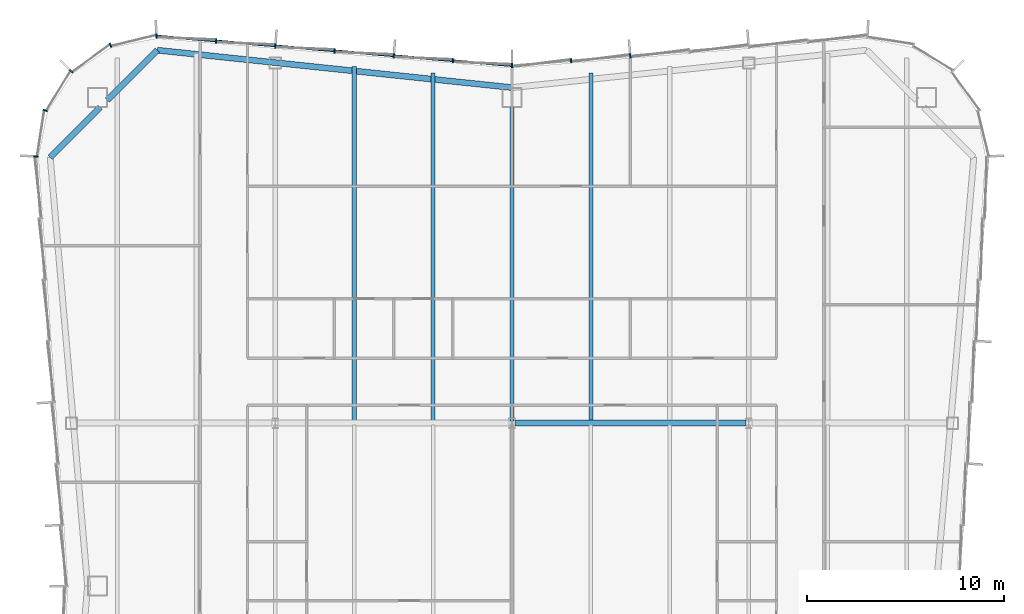
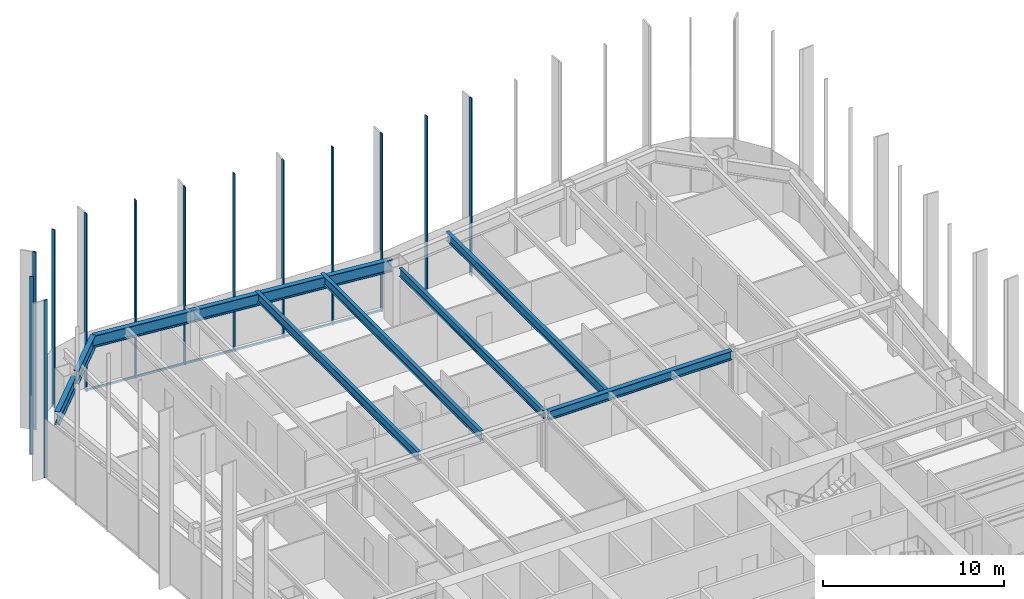
# One storey, part 7 of 15: 14 members, 8 beams, 3 elements without a shape of their own.
"""IFC4 building model written with IfcOpenShell, lengths in metres."""

import ifcopenshell
import ifcopenshell.guid

model = None  # the IFC model being written
_history = None  # IfcOwnerHistory: only IFC2X3 demands one
_inside = {}  # id of a spatial element -> (the spatial element, [elements in it])
_under = {}  # id of a project, library or spatial element -> (it, [spatial elements below it])
_declared = {}  # id of a project -> (the project, [libraries it declares])
_typed = {}  # id of a type object -> (the type object, [elements of that type])
_made_of = {}  # id of a material, layer set ... -> (it, [elements and type objects made of it])


def new_model(schema):
    """Start an empty IFC model of exactly this schema.

    Asked for "IFC4X3", IfcOpenShell would pick the latest addendum, in which some entities
    have other attributes; the version numbers below select the first issue.
    IFC2X3 requires an IfcOwnerHistory on every rooted entity: one is made here for all.
    """
    global model, _history
    if schema == "IFC4X3":
        model = ifcopenshell.file(schema_version=(4, 3, 0, 0))
    else:
        model = ifcopenshell.file(schema=schema)
    _inside.clear()
    _under.clear()
    _declared.clear()
    _typed.clear()
    _made_of.clear()
    _history = None
    if model.schema == "IFC2X3":
        org = make("IfcOrganization", Name="unknown")
        user = make(
            "IfcPersonAndOrganization",
            ThePerson=make("IfcPerson", FamilyName="unknown"),
            TheOrganization=org,
        )
        app = make(
            "IfcApplication",
            ApplicationDeveloper=org,
            Version="unknown",
            ApplicationFullName="unknown",
            ApplicationIdentifier="unknown",
        )
        _history = make(
            "IfcOwnerHistory",
            OwningUser=user,
            OwningApplication=app,
            ChangeAction="ADDED",
            CreationDate=0,
        )
    return model


def make(cls, **values):
    """One entity of the class cls with the attributes given. An attribute that is None is left unset."""
    return model.create_entity(
        cls, **{name: value for name, value in values.items() if value is not None}
    )


def rooted(cls, **values):
    """An entity with a GlobalId (a new one), such as an element, a storey or a relation."""
    return make(cls, GlobalId=ifcopenshell.guid.new(), OwnerHistory=_history, **values)


def si_unit(unit_type, name, prefix=None):
    """IfcSIUnit, for example si_unit("LENGTHUNIT", "METRE", prefix="MILLI")."""
    return make("IfcSIUnit", UnitType=unit_type, Prefix=prefix, Name=name)


def assignment(units):
    """IfcUnitAssignment: the units of a project."""
    return None if units is None else make("IfcUnitAssignment", Units=units)


def point(xyz):
    """IfcCartesianPoint."""
    return None if xyz is None else make("IfcCartesianPoint", Coordinates=xyz)


def direction(xyz):
    """IfcDirection."""
    return None if xyz is None else make("IfcDirection", DirectionRatios=xyz)


def frame(location, z_axis=None, x_axis=None):
    """IfcAxis2Placement3D, a coordinate frame: its origin and axes. An axis left out is left unset."""
    return make(
        "IfcAxis2Placement3D",
        Location=point(location),
        Axis=direction(z_axis),
        RefDirection=direction(x_axis),
    )


def frame_2d(location, x_axis=None):
    """IfcAxis2Placement2D, a coordinate frame in the plane: its origin and x axis."""
    return make(
        "IfcAxis2Placement2D", Location=point(location), RefDirection=direction(x_axis)
    )


def origin():
    """The frame at (0, 0, 0) with its axes left unset."""
    return frame((0.0, 0.0, 0.0))


def origin_2d():
    """The frame at (0, 0) in the plane with its x axis left unset."""
    return frame_2d((0.0, 0.0))


def place(relative_to, where):
    """IfcLocalPlacement: puts the frame where relative to a parent placement (None: the world)."""
    return make(
        "IfcLocalPlacement", PlacementRelTo=relative_to, RelativePlacement=where
    )


def context(
    kind, dimensions, precision=None, world=None, true_north=None, identifier=None
):
    """IfcGeometricRepresentationContext, for example the 3D "Model" context."""
    return make(
        "IfcGeometricRepresentationContext",
        ContextIdentifier=identifier,
        ContextType=kind,
        CoordinateSpaceDimension=dimensions,
        Precision=precision,
        WorldCoordinateSystem=world,
        TrueNorth=true_north,
    )


def subcontext(parent, identifier, kind, view, scale=None):
    """IfcGeometricRepresentationSubContext, for example "Body" below "Model"."""
    return make(
        "IfcGeometricRepresentationSubContext",
        ContextIdentifier=identifier,
        ContextType=kind,
        ParentContext=parent,
        TargetScale=scale,
        TargetView=view,
    )


def project(units=None, contexts=None):
    """IfcProject with its units and contexts."""
    return rooted(
        "IfcProject",
        Name="project",
        RepresentationContexts=contexts,
        UnitsInContext=assignment(units),
    )


def spatial(cls, under=None, at=None, **own):
    """A site, building, storey or space (cls), placed at a placement, below another one or the project."""
    s = rooted(cls, ObjectPlacement=at, **own)
    if under is not None:
        _under.setdefault(under.id(), (under, []))[1].append(s)
    return s


def profile(cls, at=None, kind="AREA", **sizes):
    """A parametric profile (cls). Its sizes go by their IFC names, for example OverallWidth=200.0."""
    return make(cls, ProfileType=kind, Position=at, **sizes)


def rectangle(**sizes):
    """IfcRectangleProfileDef."""
    return profile("IfcRectangleProfileDef", **sizes)


def i_section(**sizes):
    """IfcIShapeProfileDef."""
    return profile("IfcIShapeProfileDef", **sizes)


def extrude(swept, where, along, depth):
    """IfcExtrudedAreaSolid: the profile swept, set in the frame where, extruded along a direction by depth."""
    return make(
        "IfcExtrudedAreaSolid",
        SweptArea=swept,
        Position=where,
        ExtrudedDirection=direction(along),
        Depth=depth,
    )


def shape(context_of_items, identifier, shape_type, items):
    """IfcShapeRepresentation: the items that make up one representation, for example the "Body"."""
    return make(
        "IfcShapeRepresentation",
        ContextOfItems=context_of_items,
        RepresentationIdentifier=identifier,
        RepresentationType=shape_type,
        Items=items,
    )


def material(Name=None, Category=None):
    """IfcMaterial."""
    return make("IfcMaterial", Name=Name, Category=Category)


def material_profile(
    of_material, cross_section, Name=None, Category=None, Priority=None
):
    """IfcMaterialProfile: a cross section and its material."""
    return make(
        "IfcMaterialProfile",
        Name=Name,
        Material=of_material,
        Profile=cross_section,
        Priority=Priority,
        Category=Category,
    )


def profile_set(profiles, Name=None, composite=None):
    """IfcMaterialProfileSet."""
    return make(
        "IfcMaterialProfileSet",
        Name=Name,
        MaterialProfiles=profiles,
        CompositeProfile=composite,
    )


def made_of(thing, what):
    """Note that an element or type object is made of a material, layer set ...; save() writes the relation."""
    if what is not None:
        _made_of.setdefault(what.id(), (what, []))[1].append(thing)
    return thing


def type_object(cls, material=None, **own):
    """A type object (cls), such as IfcWallType, which elements share."""
    return made_of(rooted(cls, **own), material)


def element(
    cls,
    number,
    at=None,
    inside=None,
    cuts=None,
    type_object=None,
    material=None,
    context=None,
    identifier="Body",
    shape_type=None,
    held_by="IfcProductDefinitionShape",
    body=None,
    shapes=None,
    **own,
):
    """One element of the class cls, such as IfcWall. Its Tag is "e" and its number.

    at: its placement. inside: the storey or other place that contains it. cuts: it is an
    opening in that element (IfcRelVoidsElement). A single representation is given by context,
    identifier, shape_type and body (its items); several are given by shapes. held_by: the class
    of the entity that holds the representations. save() writes the other relations.
    """
    e = rooted(cls, Tag="e%d" % number, ObjectPlacement=at, **own)
    if body is not None:
        shapes = [shape(context, identifier, shape_type, body)]
    if shapes is not None:
        e.Representation = make(held_by, Representations=shapes)
    if inside is not None:
        _inside.setdefault(inside.id(), (inside, []))[1].append(e)
    if cuts is not None:
        rooted(
            "IfcRelVoidsElement", RelatingBuildingElement=cuts, RelatedOpeningElement=e
        )
    if type_object is not None:
        _typed.setdefault(type_object.id(), (type_object, []))[1].append(e)
    return made_of(e, material)


def aggregate(whole, parts):
    """IfcRelAggregates: a whole, such as a stair, and the parts it consists of."""
    return rooted("IfcRelAggregates", RelatingObject=whole, RelatedObjects=parts)


def save(model, path):
    """Write the relations noted so far, then the file.

    IfcRelAggregates (storeys below a building ...), IfcRelContainedInSpatialStructure (elements
    in a storey), IfcRelDefinesByType, IfcRelAssociatesMaterial and IfcRelDeclares: one each for
    every whole, place, type object, material and project.
    """
    for whole, parts in _under.values():
        aggregate(whole, parts)
    for where, things in _inside.values():
        rooted(
            "IfcRelContainedInSpatialStructure",
            RelatedElements=things,
            RelatingStructure=where,
        )
    for kind, things in _typed.values():
        rooted("IfcRelDefinesByType", RelatedObjects=things, RelatingType=kind)
    for what, things in _made_of.values():
        rooted("IfcRelAssociatesMaterial", RelatedObjects=things, RelatingMaterial=what)
    for by, libraries in _declared.values():
        rooted("IfcRelDeclares", RelatingContext=by, RelatedDefinitions=libraries)
    model.write(path)


model = new_model("IFC4")

# Units and contexts
model_context = context("Model", 3, precision=1e-05, world=origin(), true_north=direction((0.0, 1.0)))
body_context = subcontext(model_context, "Body", "Model", "MODEL_VIEW")
ifc_project = project(units=[si_unit("LENGTHUNIT", "METRE"), si_unit("AREAUNIT", "SQUARE_METRE"), si_unit("VOLUMEUNIT", "CUBIC_METRE"), si_unit("PLANEANGLEUNIT", "RADIAN"), si_unit("MASSUNIT", "GRAM", prefix="KILO")], contexts=[model_context])

# Site, building, storey
site_placement = place(None, origin())
site = spatial("IfcSite", under=ifc_project, at=site_placement, CompositionType="ELEMENT")
building_placement = place(site_placement, origin())
building = spatial("IfcBuilding", under=site, at=building_placement, Name="Verdant Reach Tower", CompositionType="ELEMENT")
storey_placement = place(building_placement, frame((0.0, 0.0, 238.0)))
storey = spatial("IfcBuildingStorey", under=building, at=storey_placement, Name="L54", CompositionType="ELEMENT", Elevation=238.0)

# Curtain wall, members
ifc_material_1 = material(Name="Anodised aluminium", Category="aluminium")
curtain_wall_type = type_object("IfcCurtainWallType", Name="EN-CW SYSTEM Z4", PredefinedType="NOTDEFINED", material=ifc_material_1)
curtain_wall_1_placement = place(storey_placement, origin())
curtain_wall_1 = element("IfcCurtainWall", 1, at=curtain_wall_1_placement, inside=storey, type_object=curtain_wall_type, Name="Curtain wall north, L54", PredefinedType="NOTDEFINED")
ifc_material_profile_1 = material_profile(ifc_material_1, rectangle(XDim=0.22412109375, YDim=0.068115234375, at=origin_2d()), Name="Mullion 68x224")
ifc_profile_set_1 = profile_set([ifc_material_profile_1], Name="Anodised aluminium")
member_type_1 = type_object("IfcMemberType", Name="EN-MULLION Z4", PredefinedType="MULLION", material=ifc_profile_set_1)
member_1_placement = place(storey_placement, frame((5.99072265625, 68.111572265625, -0.35009765625), z_axis=(0.0, 0.0, 1.0), x_axis=(-0.083045479859, 0.996545758244, 0.0)))
member_1 = element("IfcMember", 2, at=member_1_placement, type_object=member_type_1, Name="Mullion north face part 1 5, L54", PredefinedType="MULLION", context=body_context, shape_type="SweptSolid", body=[
    extrude(rectangle(XDim=0.22412109375, YDim=0.068115234375, at=origin_2d()), origin(), (0.0, 0.0, 1.0), 12.0),
])
member_2_placement = place(storey_placement, frame((2.99072265625, 67.861572265625, -0.35009765625), z_axis=(0.0, 0.0, 1.0), x_axis=(-0.083045479859, 0.996545758244, 0.0)))
member_2 = element("IfcMember", 3, at=member_2_placement, type_object=member_type_1, Name="Mullion north face part 1 6, L54", PredefinedType="MULLION", context=body_context, shape_type="SweptSolid", body=[
    extrude(rectangle(XDim=0.22412109375, YDim=0.068115234375, at=origin_2d()), origin(), (0.0, 0.0, 1.0), 12.0),
])
member_3_placement = place(storey_placement, frame((0.0, 67.612060546875, -0.35009765625), z_axis=(0.0, 0.0, 1.0), x_axis=(0.0, 1.0, 0.0)))
member_3 = element("IfcMember", 4, at=member_3_placement, type_object=member_type_1, Name="Mullion north face part 2 1, L54", PredefinedType="MULLION", context=body_context, shape_type="SweptSolid", body=[
    extrude(rectangle(XDim=0.22412109375, YDim=0.068115234375, at=origin_2d()), origin(), (0.0, 0.0, 1.0), 12.0),
])
member_4_placement = place(storey_placement, frame((-2.99072265625, 67.861572265625, -0.35009765625), z_axis=(0.0, 0.0, 1.0), x_axis=(0.083045479859, 0.996545758244, 0.0)))
member_4 = element("IfcMember", 5, at=member_4_placement, type_object=member_type_1, Name="Mullion north face part 2 2, L54", PredefinedType="MULLION", context=body_context, shape_type="SweptSolid", body=[
    extrude(rectangle(XDim=0.22412109375, YDim=0.068115234375, at=origin_2d()), origin(), (0.0, 0.0, 1.0), 12.0),
])
member_5_placement = place(storey_placement, frame((-5.99072265625, 68.111572265625, -0.35009765625), z_axis=(0.0, 0.0, 1.0), x_axis=(0.083045479859, 0.996545758244, 0.0)))
member_5 = element("IfcMember", 6, at=member_5_placement, type_object=member_type_1, Name="Mullion north face part 2 3, L54", PredefinedType="MULLION", context=body_context, shape_type="SweptSolid", body=[
    extrude(rectangle(XDim=0.22412109375, YDim=0.068115234375, at=origin_2d()), origin(), (0.0, 0.0, 1.0), 12.0),
])
member_6_placement = place(storey_placement, frame((-8.99072265625, 68.361572265625, -0.35009765625), z_axis=(0.0, 0.0, 1.0), x_axis=(0.083045479859, 0.996545758244, 0.0)))
member_6 = element("IfcMember", 7, at=member_6_placement, type_object=member_type_1, Name="Mullion north face part 2 4, L54", PredefinedType="MULLION", context=body_context, shape_type="SweptSolid", body=[
    extrude(rectangle(XDim=0.22412109375, YDim=0.068115234375, at=origin_2d()), origin(), (0.0, 0.0, 1.0), 12.0),
])
member_7_placement = place(storey_placement, frame((-11.99072265625, 68.611572265625, -0.35009765625), z_axis=(0.0, 0.0, 1.0), x_axis=(0.083045479859, 0.996545758244, 0.0)))
member_7 = element("IfcMember", 8, at=member_7_placement, type_object=member_type_1, Name="Mullion north face part 2 5, L54", PredefinedType="MULLION", context=body_context, shape_type="SweptSolid", body=[
    extrude(rectangle(XDim=0.22412109375, YDim=0.068115234375, at=origin_2d()), origin(), (0.0, 0.0, 1.0), 12.0),
])
member_8_placement = place(storey_placement, frame((-14.99072265625, 68.861572265625, -0.35009765625), z_axis=(0.0, 0.0, 1.0), x_axis=(0.083045479859, 0.996545758244, 0.0)))
member_8 = element("IfcMember", 9, at=member_8_placement, type_object=member_type_1, Name="Mullion north face part 2 6, L54", PredefinedType="MULLION", context=body_context, shape_type="SweptSolid", body=[
    extrude(rectangle(XDim=0.22412109375, YDim=0.068115234375, at=origin_2d()), origin(), (0.0, 0.0, 1.0), 12.0),
])

curtain_wall_2_placement = place(storey_placement, origin())
curtain_wall_2 = element("IfcCurtainWall", 10, at=curtain_wall_2_placement, inside=storey, type_object=curtain_wall_type, Name="Curtain wall north-west corner, L54", PredefinedType="NOTDEFINED")
member_9_placement = place(storey_placement, frame((-18.00634765625, 69.11181640625, -0.35009765625), z_axis=(0.0, 0.0, 1.0), x_axis=(-0.056569187765, 0.998398681387, 0.0)))
member_9 = element("IfcMember", 11, at=member_9_placement, type_object=member_type_1, Name="Mullion north-west corner 1, L54", PredefinedType="MULLION", context=body_context, shape_type="SweptSolid", body=[
    extrude(rectangle(XDim=0.22412109375, YDim=0.068115234375, at=origin_2d()), origin(), (0.0, 0.0, 1.0), 12.0),
])
member_10_placement = place(storey_placement, frame((-20.3388671875, 68.646728515625, -0.35009765625), z_axis=(0.0, 0.0, 1.0), x_axis=(-0.382693853776, 0.923875215753, 0.0)))
member_10 = element("IfcMember", 12, at=member_10_placement, type_object=member_type_1, Name="Mullion north-west corner 2, L54", PredefinedType="MULLION", context=body_context, shape_type="SweptSolid", body=[
    extrude(rectangle(XDim=0.22412109375, YDim=0.068115234375, at=origin_2d()), origin(), (0.0, 0.0, 1.0), 12.0),
])
member_11_placement = place(storey_placement, frame((-22.32177734375, 67.32177734375, -0.35009765625), z_axis=(0.0, 0.0, 1.0), x_axis=(-0.707106781187, 0.707106781187, 0.0)))
member_11 = element("IfcMember", 13, at=member_11_placement, type_object=member_type_1, Name="Mullion north-west corner 3, L54", PredefinedType="MULLION", context=body_context, shape_type="SweptSolid", body=[
    extrude(rectangle(XDim=0.22412109375, YDim=0.068115234375, at=origin_2d()), origin(), (0.0, 0.0, 1.0), 12.0),
])
member_12_placement = place(storey_placement, frame((-23.646728515625, 65.3388671875, -0.35009765625), z_axis=(0.0, 0.0, 1.0), x_axis=(-0.923875215753, 0.382693853776, 0.0)))
member_12 = element("IfcMember", 14, at=member_12_placement, type_object=member_type_1, Name="Mullion north-west corner 4, L54", PredefinedType="MULLION", context=body_context, shape_type="SweptSolid", body=[
    extrude(rectangle(XDim=0.22412109375, YDim=0.068115234375, at=origin_2d()), origin(), (0.0, 0.0, 1.0), 12.0),
])
aggregate(curtain_wall_2, [member_9, member_10, member_11, member_12])

# Curtain wall, member
curtain_wall_3_placement = place(storey_placement, origin())
curtain_wall_3 = element("IfcCurtainWall", 15, at=curtain_wall_3_placement, inside=storey, type_object=curtain_wall_type, Name="Curtain wall west, L54", PredefinedType="NOTDEFINED")
member_13_placement = place(storey_placement, frame((-24.11181640625, 63.007080078125, -0.35009765625), z_axis=(0.0, 0.0, 1.0), x_axis=(-0.997969180898, 0.063698618332, 0.0)))
member_13 = element("IfcMember", 16, at=member_13_placement, type_object=member_type_1, Name="Mullion west face part 1 1, L54", PredefinedType="MULLION", context=body_context, shape_type="SweptSolid", body=[
    extrude(rectangle(XDim=0.22412109375, YDim=0.068115234375, at=origin_2d()), origin(), (0.0, 0.0, 1.0), 12.0),
])
aggregate(curtain_wall_3, [member_13])

# Member
ifc_material_profile_2 = material_profile(ifc_material_1, rectangle(XDim=0.10009765625, YDim=0.1279296875, at=origin_2d()), Name="Transom 128x100")
ifc_profile_set_2 = profile_set([ifc_material_profile_2], Name="Anodised aluminium")
member_type_2 = type_object("IfcMemberType", Name="EN-TRANSOM Z4", PredefinedType="USERDEFINED", material=ifc_profile_set_2)
member_14_placement = place(storey_placement, frame((-0.033935546875, 67.61474609375, -0.285888671875), z_axis=(-0.996549124771, 0.083005071637, 0.0), x_axis=(-0.083005071637, -0.996549124771, 0.0)))
member_14 = element("IfcMember", 17, at=member_14_placement, type_object=member_type_2, Name="Transom north face part 2 1.1, L54", ObjectType="TRANSOM", PredefinedType="USERDEFINED", context=body_context, shape_type="SweptSolid", body=[
    extrude(rectangle(XDim=0.10009765625, YDim=0.1279296875, at=origin_2d()), origin(), (0.0, 0.0, 1.0), 18.00048828125),
])

aggregate(curtain_wall_1, [member_1, member_2, member_3, member_4, member_5, member_6, member_7, member_8, member_14])

# Beams
ifc_material_2 = material(Name="Steel S355", Category="steel")
ifc_material_profile_3 = material_profile(ifc_material_2, i_section(OverallWidth=0.300048828125, OverallDepth=0.60009765625, WebThickness=0.015380859375, FlangeThickness=0.030029296875, FilletRadius=0.027099609375, at=origin_2d()), Name="HEB 600")
ifc_profile_set_3 = profile_set([ifc_material_profile_3], Name="Steel S355")
beam_type_1 = type_object("IfcBeamType", Name="ST-BEAM-HEB600", PredefinedType="BEAM", material=ifc_profile_set_3)
beam_1_placement = place(storey_placement, frame((0.153076171875, 49.5, 3.570068359375), z_axis=(1.0, 0.0, 0.0), x_axis=(0.0, 1.0, 0.0)))
element("IfcBeam", 18, at=beam_1_placement, inside=storey, type_object=beam_type_1, Name="Row girder, L54", PredefinedType="BEAM", context=body_context, shape_type="SweptSolid", body=[
    extrude(i_section(OverallWidth=0.300048828125, OverallDepth=0.60009765625, WebThickness=0.015380859375, FlangeThickness=0.030029296875, FilletRadius=0.027099609375, at=origin_2d()), origin(), (0.0, 0.0, 1.0), 11.69384765625),
])
ifc_material_profile_4 = material_profile(ifc_material_2, i_section(OverallWidth=0.2099609375, OverallDepth=0.550048828125, WebThickness=0.010986328125, FlangeThickness=0.01708984375, FilletRadius=0.02392578125, at=origin_2d()), Name="IPE 550")
ifc_profile_set_4 = profile_set([ifc_material_profile_4], Name="Steel S355")
beam_type_2 = type_object("IfcBeamType", Name="ST-JOIST-IPE550", PredefinedType="JOIST", material=ifc_profile_set_4)
beam_2_placement = place(storey_placement, frame((0.0, 49.60009765625, 3.594970703125), z_axis=(0.0, 1.0, 0.0), x_axis=(-1.0, 0.0, 0.0)))
element("IfcBeam", 19, at=beam_2_placement, inside=storey, type_object=beam_type_2, Name="Floor joist, L54", PredefinedType="JOIST", context=body_context, shape_type="SweptSolid", body=[
    extrude(i_section(OverallWidth=0.2099609375, OverallDepth=0.550048828125, WebThickness=0.010986328125, FlangeThickness=0.01708984375, FilletRadius=0.02392578125, at=origin_2d()), origin(), (0.0, 0.0, 1.0), 15.89990234375),
])
ifc_material_profile_5 = material_profile(ifc_material_2, i_section(OverallWidth=0.219970703125, OverallDepth=0.60009765625, WebThickness=0.011962890625, FlangeThickness=0.01904296875, FilletRadius=0.02392578125, at=origin_2d()), Name="IPE 600")
ifc_profile_set_5 = profile_set([ifc_material_profile_5], Name="Steel S355")
beam_type_3 = type_object("IfcBeamType", Name="ST-JOIST-IPE600", PredefinedType="JOIST", material=ifc_profile_set_5)
beam_3_placement = place(storey_placement, frame((-8.0, 49.60009765625, 3.570068359375), z_axis=(0.0, 1.0, 0.0), x_axis=(-1.0, 0.0, 0.0)))
element("IfcBeam", 20, at=beam_3_placement, inside=storey, type_object=beam_type_3, Name="Floor joist, L54", PredefinedType="JOIST", context=body_context, shape_type="SweptSolid", body=[
    extrude(i_section(OverallWidth=0.219970703125, OverallDepth=0.60009765625, WebThickness=0.011962890625, FlangeThickness=0.01904296875, FilletRadius=0.02392578125, at=origin_2d()), origin(), (0.0, 0.0, 1.0), 17.964599609375),
])
for number, where, z_axis, x_axis, name in (
    (21, (-4.0, 49.60009765625, 3.570068359375), (0.0, 1.0, 0.0), (-1.0, 0.0, 0.0), "Floor joist, L54"),
    (22, (4.0, 49.60009765625, 3.570068359375), (0.0, 1.0, 0.0), (-1.0, 0.0, 0.0), "Floor joist, L54"),
):
    element("IfcBeam", number, at=place(storey_placement, frame(where, z_axis=z_axis, x_axis=x_axis)), inside=storey, type_object=beam_type_3, Name=name, PredefinedType="JOIST", context=body_context, shape_type="SweptSolid", body=[
        extrude(i_section(OverallWidth=0.219970703125, OverallDepth=0.60009765625, WebThickness=0.011962890625, FlangeThickness=0.01904296875, FilletRadius=0.02392578125, at=origin_2d()), origin(), (0.0, 0.0, 1.0), 17.631103515625),
    ])
ifc_material_profile_6 = material_profile(ifc_material_2, i_section(OverallWidth=0.300048828125, OverallDepth=0.800048828125, WebThickness=0.017578125, FlangeThickness=0.032958984375, FilletRadius=0.030029296875, at=origin_2d()), Name="HEB 800")
ifc_profile_set_6 = profile_set([ifc_material_profile_6], Name="Steel S355")
beam_type_4 = type_object("IfcBeamType", Name="ST-SPANDREL-HEB800", PredefinedType="SPANDREL", material=ifc_profile_set_6)
beam_4_placement = place(storey_placement, frame((-17.9658203125, 68.39501953125, 3.469970703125), z_axis=(0.994483067002, -0.104897232783, 0.0), x_axis=(0.104897232783, 0.994483067002, 0.0)))
element("IfcBeam", 23, at=beam_4_placement, inside=storey, type_object=beam_type_4, Name="Edge beam, L54", PredefinedType="SPANDREL", context=body_context, shape_type="SweptSolid", body=[
    extrude(i_section(OverallWidth=0.300048828125, OverallDepth=0.800048828125, WebThickness=0.017578125, FlangeThickness=0.032958984375, FilletRadius=0.030029296875, at=origin_2d()), origin(), (0.0, 0.0, 1.0), 18.0654296875),
])
ifc_material_profile_7 = material_profile(ifc_material_2, i_section(OverallWidth=0.302001953125, OverallDepth=0.909912109375, WebThickness=0.02099609375, FlangeThickness=0.0400390625, FilletRadius=0.030029296875, at=origin_2d()), Name="HEM 900")
ifc_profile_set_7 = profile_set([ifc_material_profile_7], Name="Steel S355")
beam_type_5 = type_object("IfcBeamType", Name="ST-SPANDREL-HEM900", PredefinedType="SPANDREL", material=ifc_profile_set_7)
beam_5_placement = place(storey_placement, frame((-23.39599609375, 62.96142578125, 3.4150390625), z_axis=(0.706902680526, 0.707310822952, 0.0), x_axis=(-0.707310822952, 0.706902680526, 0.0)))
element("IfcBeam", 24, at=beam_5_placement, inside=storey, type_object=beam_type_5, Name="Edge beam, L54", PredefinedType="SPANDREL", context=body_context, shape_type="SweptSolid", body=[
    extrude(i_section(OverallWidth=0.302001953125, OverallDepth=0.909912109375, WebThickness=0.02099609375, FlangeThickness=0.0400390625, FilletRadius=0.030029296875, at=origin_2d()), origin(), (0.0, 0.0, 1.0), 3.589111328125),
])
beam_6_placement = place(storey_placement, frame((-20.5, 65.859130859375, 3.4150390625), z_axis=(0.706868394255, 0.707345087777, 0.0), x_axis=(-0.707345087777, 0.706868394255, 0.0)))
element("IfcBeam", 25, at=beam_6_placement, inside=storey, type_object=beam_type_5, Name="Edge beam, L54", PredefinedType="SPANDREL", context=body_context, shape_type="SweptSolid", body=[
    extrude(i_section(OverallWidth=0.302001953125, OverallDepth=0.909912109375, WebThickness=0.02099609375, FlangeThickness=0.0400390625, FilletRadius=0.030029296875, at=origin_2d()), origin(), (0.0, 0.0, 1.0), 3.5849609375),
])

save(model, "model.ifc")
